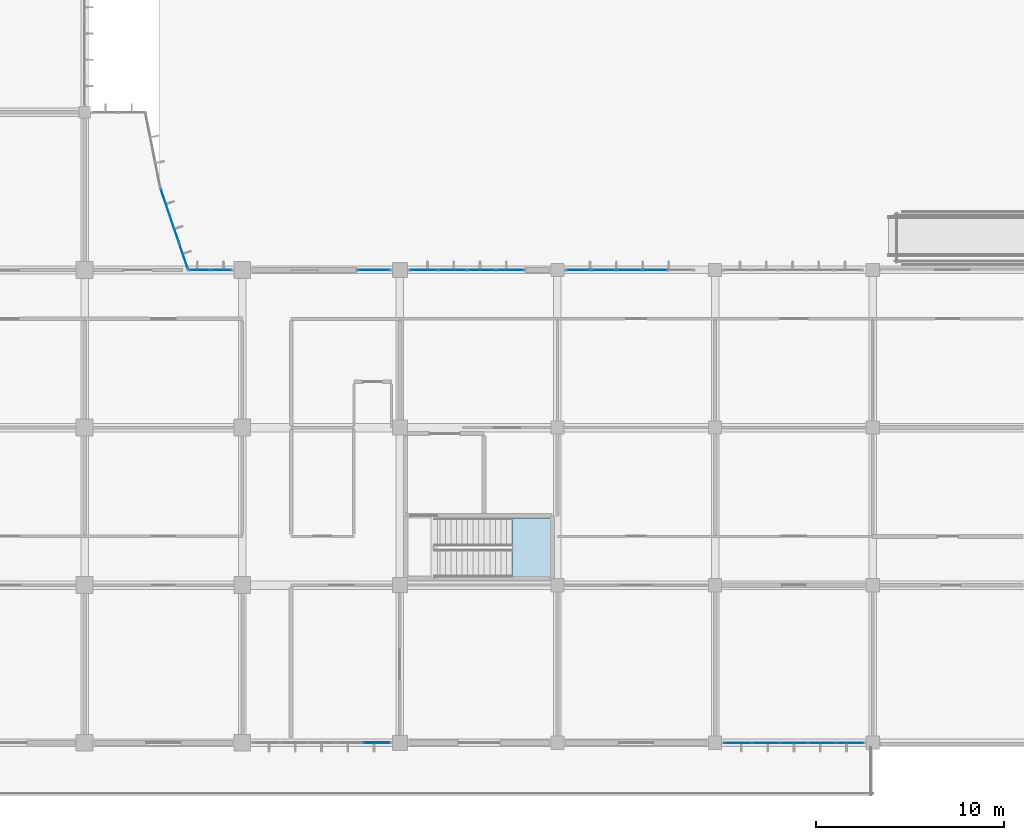
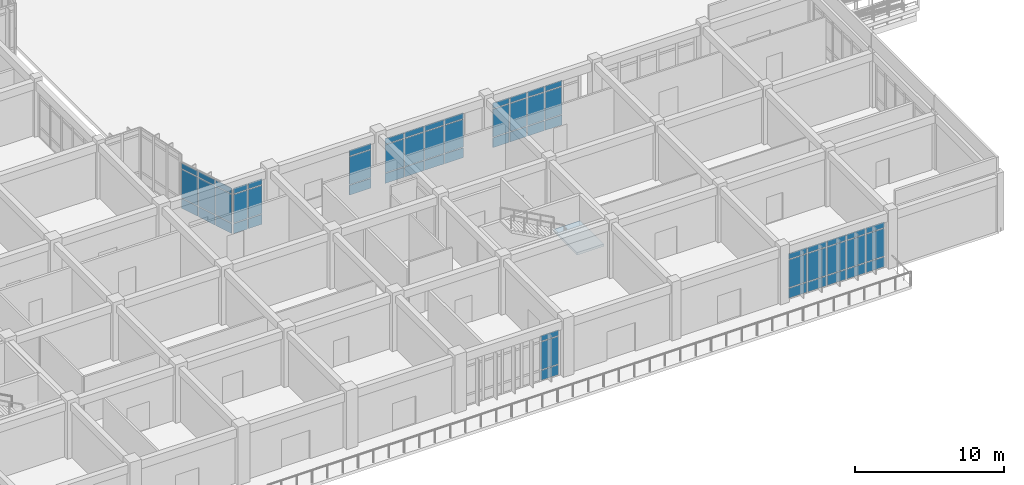
# One storey, part 76 of 138: 60 plates, 1 slab, 8 elements without a shape of their own.
"""IFC4 building model written with IfcOpenShell, lengths in metres."""

from ifc_helpers import new_model, si_unit, direction, frame, origin, origin_2d, place, context, subcontext, project, spatial, polyline, rectangle, outline, extrude, material, layer, layer_set, type_object, element, aggregate, save


model = new_model("IFC4")

# Units and contexts
model_context = context("Model", 3, precision=1e-05, world=origin(), true_north=direction((0.0, 1.0)))
body_context = subcontext(model_context, "Body", "Model", "MODEL_VIEW")
ifc_project = project(units=[si_unit("LENGTHUNIT", "METRE"), si_unit("AREAUNIT", "SQUARE_METRE"), si_unit("VOLUMEUNIT", "CUBIC_METRE"), si_unit("PLANEANGLEUNIT", "RADIAN"), si_unit("MASSUNIT", "GRAM", prefix="KILO")], contexts=[model_context])

# Site, building, storey
site_placement = place(None, origin())
site = spatial("IfcSite", under=ifc_project, at=site_placement, CompositionType="ELEMENT")
building_placement = place(site_placement, origin())
building = spatial("IfcBuilding", under=site, at=building_placement, Name="Bramfleet General Hospital", CompositionType="ELEMENT")
storey_placement = place(building_placement, origin())
storey = spatial("IfcBuildingStorey", under=building, at=storey_placement, Name="L00", CompositionType="ELEMENT", Elevation=0.0)

# Curtain wall, plates
ifc_material_1 = material(Name="Anodised aluminium and low-E triple glazing", Category="aluminium")
ifc_layer_1 = layer(ifc_material_1, 0.179931640625, Name="CWT-CW-07")
ifc_layer_set_1 = layer_set([ifc_layer_1], Name="Anodised aluminium and low-E triple glazing")
curtain_wall_type_1 = type_object("IfcCurtainWallType", Name="CWT-CW-07", PredefinedType="USERDEFINED", material=ifc_layer_set_1)
curtain_wall_1_placement = place(storey_placement, origin())
curtain_wall_1 = element("IfcCurtainWall", 1, at=curtain_wall_1_placement, inside=storey, type_object=curtain_wall_type_1, Name="L00 Curtain Wall 25", ObjectType="Unitised curtain wall", PredefinedType="USERDEFINED")
ifc_material_2 = material(Name="Low-E laminated safety glass", Category="glass")
ifc_layer_2 = layer(ifc_material_2, 0.028076171875, Name="CWP-GLZ-1")
ifc_layer_set_2 = layer_set([ifc_layer_2], Name="Low-E laminated safety glass")
plate_type_1 = type_object("IfcPlateType", Name="CWP-GLZ-1", PredefinedType="CURTAIN_PANEL", material=ifc_layer_set_2)
plate_1_placement = place(storey_placement, frame((130.2890625, 28.830810546875, 0.06494140625), z_axis=(0.0, 0.0, 1.0), x_axis=(0.321285950829, -0.94698222676, 0.0)))
plate_1 = element("IfcPlate", 2, at=plate_1_placement, type_object=plate_type_1, Name="CW-07 panel 1.1", PredefinedType="CURTAIN_PANEL", context=body_context, shape_type="SweptSolid", body=[
    extrude(rectangle(XDim=1.435791015625, YDim=0.028076171875, at=origin_2d()), origin(), (0.0, 0.0, 1.0), 0.802490234375),
])
plate_2_placement = place(storey_placement, frame((130.2890625, 28.830810546875, 0.9326171875), z_axis=(0.0, 0.0, 1.0), x_axis=(0.321285950829, -0.94698222676, 0.0)))
plate_2 = element("IfcPlate", 3, at=plate_2_placement, type_object=plate_type_1, Name="CW-07 panel 1.2", PredefinedType="CURTAIN_PANEL", context=body_context, shape_type="SweptSolid", body=[
    extrude(rectangle(XDim=1.435791015625, YDim=0.028076171875, at=origin_2d()), origin(), (0.0, 0.0, 1.0), 2.324951171875),
])
plate_3_placement = place(storey_placement, frame((130.2890625, 28.830810546875, 3.32275390625), z_axis=(0.0, 0.0, 1.0), x_axis=(0.321285950829, -0.94698222676, 0.0)))
plate_3 = element("IfcPlate", 4, at=plate_3_placement, type_object=plate_type_1, Name="CW-07 panel 1.3", PredefinedType="CURTAIN_PANEL", context=body_context, shape_type="SweptSolid", body=[
    extrude(rectangle(XDim=1.435791015625, YDim=0.028076171875, at=origin_2d()), origin(), (0.0, 0.0, 1.0), 0.452392578125),
])
plate_4_placement = place(storey_placement, frame((130.778564453125, 27.388427734375, 0.06494140625), z_axis=(0.0, 0.0, 1.0), x_axis=(0.321285950829, -0.94698222676, 0.0)))
plate_4 = element("IfcPlate", 5, at=plate_4_placement, type_object=plate_type_1, Name="CW-07 panel 2.1", PredefinedType="CURTAIN_PANEL", context=body_context, shape_type="SweptSolid", body=[
    extrude(rectangle(XDim=1.470703125, YDim=0.028076171875, at=origin_2d()), origin(), (0.0, 0.0, 1.0), 0.802490234375),
])
plate_5_placement = place(storey_placement, frame((130.778564453125, 27.388427734375, 0.9326171875), z_axis=(0.0, 0.0, 1.0), x_axis=(0.321285950829, -0.94698222676, 0.0)))
plate_5 = element("IfcPlate", 6, at=plate_5_placement, type_object=plate_type_1, Name="CW-07 panel 2.2", PredefinedType="CURTAIN_PANEL", context=body_context, shape_type="SweptSolid", body=[
    extrude(rectangle(XDim=1.470703125, YDim=0.028076171875, at=origin_2d()), origin(), (0.0, 0.0, 1.0), 2.324951171875),
])
plate_6_placement = place(storey_placement, frame((130.778564453125, 27.388427734375, 3.32275390625), z_axis=(0.0, 0.0, 1.0), x_axis=(0.321285950829, -0.94698222676, 0.0)))
plate_6 = element("IfcPlate", 7, at=plate_6_placement, type_object=plate_type_1, Name="CW-07 panel 2.3", PredefinedType="CURTAIN_PANEL", context=body_context, shape_type="SweptSolid", body=[
    extrude(rectangle(XDim=1.470703125, YDim=0.028076171875, at=origin_2d()), origin(), (0.0, 0.0, 1.0), 0.452392578125),
])
plate_7_placement = place(storey_placement, frame((131.267822265625, 25.946044921875, 0.06494140625), z_axis=(0.0, 0.0, 1.0), x_axis=(0.321285950829, -0.94698222676, 0.0)))
plate_7 = element("IfcPlate", 8, at=plate_7_placement, type_object=plate_type_1, Name="CW-07 panel 3.1", PredefinedType="CURTAIN_PANEL", context=body_context, shape_type="SweptSolid", body=[
    extrude(rectangle(XDim=1.435791015625, YDim=0.028076171875, at=origin_2d()), origin(), (0.0, 0.0, 1.0), 0.802490234375),
])
plate_8_placement = place(storey_placement, frame((131.267822265625, 25.946044921875, 0.9326171875), z_axis=(0.0, 0.0, 1.0), x_axis=(0.321285950829, -0.94698222676, 0.0)))
plate_8 = element("IfcPlate", 9, at=plate_8_placement, type_object=plate_type_1, Name="CW-07 panel 3.2", PredefinedType="CURTAIN_PANEL", context=body_context, shape_type="SweptSolid", body=[
    extrude(rectangle(XDim=1.435791015625, YDim=0.028076171875, at=origin_2d()), origin(), (0.0, 0.0, 1.0), 2.324951171875),
])
plate_9_placement = place(storey_placement, frame((131.267822265625, 25.946044921875, 3.32275390625), z_axis=(0.0, 0.0, 1.0), x_axis=(0.321285950829, -0.94698222676, 0.0)))
plate_9 = element("IfcPlate", 10, at=plate_9_placement, type_object=plate_type_1, Name="CW-07 panel 3.3", PredefinedType="CURTAIN_PANEL", context=body_context, shape_type="SweptSolid", body=[
    extrude(rectangle(XDim=1.435791015625, YDim=0.028076171875, at=origin_2d()), origin(), (0.0, 0.0, 1.0), 0.452392578125),
])
aggregate(curtain_wall_1, [plate_1, plate_2, plate_3, plate_4, plate_5, plate_6, plate_7, plate_8, plate_9])

ifc_layer_3 = layer(ifc_material_1, 0.179931640625, Name="CWT-CW-11")
ifc_layer_set_3 = layer_set([ifc_layer_3], Name="Anodised aluminium and low-E triple glazing")
curtain_wall_type_2 = type_object("IfcCurtainWallType", Name="CWT-CW-11", PredefinedType="USERDEFINED", material=ifc_layer_set_3)
curtain_wall_2_placement = place(storey_placement, origin())
curtain_wall_2 = element("IfcCurtainWall", 11, at=curtain_wall_2_placement, inside=storey, type_object=curtain_wall_type_2, Name="L00 Curtain Wall 29", ObjectType="Stick curtain wall", PredefinedType="USERDEFINED")
plate_10_placement = place(storey_placement, frame((152.32470703125, 25.199951171875, 0.06494140625), z_axis=(0.0, 0.0, 1.0), x_axis=(1.0, 0.0, 0.0)))
plate_10 = element("IfcPlate", 12, at=plate_10_placement, type_object=plate_type_1, Name="CW-11 panel 1.1", PredefinedType="CURTAIN_PANEL", context=body_context, shape_type="SweptSolid", body=[
    extrude(rectangle(XDim=1.259521484375, YDim=0.028076171875, at=origin_2d()), origin(), (0.0, 0.0, 1.0), 0.802490234375),
])
plate_11_placement = place(storey_placement, frame((152.32470703125, 25.199951171875, 0.9326171875), z_axis=(0.0, 0.0, 1.0), x_axis=(1.0, 0.0, 0.0)))
plate_11 = element("IfcPlate", 13, at=plate_11_placement, type_object=plate_type_1, Name="CW-11 panel 1.2", PredefinedType="CURTAIN_PANEL", context=body_context, shape_type="SweptSolid", body=[
    extrude(rectangle(XDim=1.259521484375, YDim=0.028076171875, at=origin_2d()), origin(), (0.0, 0.0, 1.0), 2.27490234375),
])
plate_12_placement = place(storey_placement, frame((152.32470703125, 25.199951171875, 3.2724609375), z_axis=(0.0, 0.0, 1.0), x_axis=(1.0, 0.0, 0.0)))
plate_12 = element("IfcPlate", 14, at=plate_12_placement, type_object=plate_type_1, Name="CW-11 panel 1.3", PredefinedType="CURTAIN_PANEL", context=body_context, shape_type="SweptSolid", body=[
    extrude(rectangle(XDim=1.259521484375, YDim=0.028076171875, at=origin_2d()), origin(), (0.0, 0.0, 1.0), 0.452392578125),
])
plate_13_placement = place(storey_placement, frame((153.671875, 25.199951171875, 0.06494140625), z_axis=(0.0, 0.0, 1.0), x_axis=(1.0, 0.0, 0.0)))
plate_13 = element("IfcPlate", 15, at=plate_13_placement, type_object=plate_type_1, Name="CW-11 panel 2.1", PredefinedType="CURTAIN_PANEL", context=body_context, shape_type="SweptSolid", body=[
    extrude(rectangle(XDim=1.294677734375, YDim=0.028076171875, at=origin_2d()), origin(), (0.0, 0.0, 1.0), 0.802490234375),
])
plate_14_placement = place(storey_placement, frame((153.671875, 25.199951171875, 0.9326171875), z_axis=(0.0, 0.0, 1.0), x_axis=(1.0, 0.0, 0.0)))
plate_14 = element("IfcPlate", 16, at=plate_14_placement, type_object=plate_type_1, Name="CW-11 panel 2.2", PredefinedType="CURTAIN_PANEL", context=body_context, shape_type="SweptSolid", body=[
    extrude(rectangle(XDim=1.294677734375, YDim=0.028076171875, at=origin_2d()), origin(), (0.0, 0.0, 1.0), 2.27490234375),
])
plate_15_placement = place(storey_placement, frame((153.671875, 25.199951171875, 3.2724609375), z_axis=(0.0, 0.0, 1.0), x_axis=(1.0, 0.0, 0.0)))
plate_15 = element("IfcPlate", 17, at=plate_15_placement, type_object=plate_type_1, Name="CW-11 panel 2.3", PredefinedType="CURTAIN_PANEL", context=body_context, shape_type="SweptSolid", body=[
    extrude(rectangle(XDim=1.294677734375, YDim=0.028076171875, at=origin_2d()), origin(), (0.0, 0.0, 1.0), 0.452392578125),
])
plate_16_placement = place(storey_placement, frame((155.03662109375, 25.199951171875, 0.06494140625), z_axis=(0.0, 0.0, 1.0), x_axis=(1.0, 0.0, 0.0)))
plate_16 = element("IfcPlate", 18, at=plate_16_placement, type_object=plate_type_1, Name="CW-11 panel 3.1", PredefinedType="CURTAIN_PANEL", context=body_context, shape_type="SweptSolid", body=[
    extrude(rectangle(XDim=1.294677734375, YDim=0.028076171875, at=origin_2d()), origin(), (0.0, 0.0, 1.0), 0.802490234375),
])
plate_17_placement = place(storey_placement, frame((155.03662109375, 25.199951171875, 0.9326171875), z_axis=(0.0, 0.0, 1.0), x_axis=(1.0, 0.0, 0.0)))
plate_17 = element("IfcPlate", 19, at=plate_17_placement, type_object=plate_type_1, Name="CW-11 panel 3.2", PredefinedType="CURTAIN_PANEL", context=body_context, shape_type="SweptSolid", body=[
    extrude(rectangle(XDim=1.294677734375, YDim=0.028076171875, at=origin_2d()), origin(), (0.0, 0.0, 1.0), 2.27490234375),
])
plate_18_placement = place(storey_placement, frame((155.03662109375, 25.199951171875, 3.2724609375), z_axis=(0.0, 0.0, 1.0), x_axis=(1.0, 0.0, 0.0)))
plate_18 = element("IfcPlate", 20, at=plate_18_placement, type_object=plate_type_1, Name="CW-11 panel 3.3", PredefinedType="CURTAIN_PANEL", context=body_context, shape_type="SweptSolid", body=[
    extrude(rectangle(XDim=1.294677734375, YDim=0.028076171875, at=origin_2d()), origin(), (0.0, 0.0, 1.0), 0.452392578125),
])
plate_19_placement = place(storey_placement, frame((156.401123046875, 25.199951171875, 0.06494140625), z_axis=(0.0, 0.0, 1.0), x_axis=(1.0, 0.0, 0.0)))
plate_19 = element("IfcPlate", 21, at=plate_19_placement, type_object=plate_type_1, Name="CW-11 panel 4.1", PredefinedType="CURTAIN_PANEL", context=body_context, shape_type="SweptSolid", body=[
    extrude(rectangle(XDim=1.294677734375, YDim=0.028076171875, at=origin_2d()), origin(), (0.0, 0.0, 1.0), 0.802490234375),
])
plate_20_placement = place(storey_placement, frame((156.401123046875, 25.199951171875, 0.9326171875), z_axis=(0.0, 0.0, 1.0), x_axis=(1.0, 0.0, 0.0)))
plate_20 = element("IfcPlate", 22, at=plate_20_placement, type_object=plate_type_1, Name="CW-11 panel 4.2", PredefinedType="CURTAIN_PANEL", context=body_context, shape_type="SweptSolid", body=[
    extrude(rectangle(XDim=1.294677734375, YDim=0.028076171875, at=origin_2d()), origin(), (0.0, 0.0, 1.0), 2.27490234375),
])
plate_21_placement = place(storey_placement, frame((156.401123046875, 25.199951171875, 3.2724609375), z_axis=(0.0, 0.0, 1.0), x_axis=(1.0, 0.0, 0.0)))
plate_21 = element("IfcPlate", 23, at=plate_21_placement, type_object=plate_type_1, Name="CW-11 panel 4.3", PredefinedType="CURTAIN_PANEL", context=body_context, shape_type="SweptSolid", body=[
    extrude(rectangle(XDim=1.294677734375, YDim=0.028076171875, at=origin_2d()), origin(), (0.0, 0.0, 1.0), 0.452392578125),
])
aggregate(curtain_wall_2, [plate_10, plate_11, plate_12, plate_13, plate_14, plate_15, plate_16, plate_17, plate_18, plate_19, plate_20, plate_21])

ifc_layer_4 = layer(ifc_material_1, 0.179931640625, Name="CWT-CW-15")
ifc_layer_set_4 = layer_set([ifc_layer_4], Name="Anodised aluminium and low-E triple glazing")
curtain_wall_type_3 = type_object("IfcCurtainWallType", Name="CWT-CW-15", PredefinedType="USERDEFINED", material=ifc_layer_set_4)
curtain_wall_3_placement = place(storey_placement, origin())
curtain_wall_3 = element("IfcCurtainWall", 24, at=curtain_wall_3_placement, inside=storey, type_object=curtain_wall_type_3, Name="L00 Curtain Wall 33", ObjectType="Stick curtain wall", PredefinedType="USERDEFINED")
plate_22_placement = place(storey_placement, frame((166.802490234375, 0.0, 0.06494140625), z_axis=(0.0, 0.0, 1.0), x_axis=(-1.0, 0.0, 0.0)))
plate_22 = element("IfcPlate", 25, at=plate_22_placement, type_object=plate_type_1, Name="CW-15 panel 1.1", PredefinedType="CURTAIN_PANEL", context=body_context, shape_type="SweptSolid", body=[
    extrude(rectangle(XDim=1.405029296875, YDim=0.028076171875, at=origin_2d()), origin(), (0.0, 0.0, 1.0), 0.802490234375),
])
plate_23_placement = place(storey_placement, frame((166.802490234375, 0.0, 0.9326171875), z_axis=(0.0, 0.0, 1.0), x_axis=(-1.0, 0.0, 0.0)))
plate_23 = element("IfcPlate", 26, at=plate_23_placement, type_object=plate_type_1, Name="CW-15 panel 1.2", PredefinedType="CURTAIN_PANEL", context=body_context, shape_type="SweptSolid", body=[
    extrude(rectangle(XDim=1.405029296875, YDim=0.028076171875, at=origin_2d()), origin(), (0.0, 0.0, 1.0), 2.27490234375),
])
plate_24_placement = place(storey_placement, frame((166.802490234375, 0.0, 3.2724609375), z_axis=(0.0, 0.0, 1.0), x_axis=(-1.0, 0.0, 0.0)))
plate_24 = element("IfcPlate", 27, at=plate_24_placement, type_object=plate_type_1, Name="CW-15 panel 1.3", PredefinedType="CURTAIN_PANEL", context=body_context, shape_type="SweptSolid", body=[
    extrude(rectangle(XDim=1.405029296875, YDim=0.028076171875, at=origin_2d()), origin(), (0.0, 0.0, 1.0), 0.452392578125),
])
plate_25_placement = place(storey_placement, frame((165.31005859375, 0.0, 0.06494140625), z_axis=(0.0, 0.0, 1.0), x_axis=(-1.0, 0.0, 0.0)))
plate_25 = element("IfcPlate", 28, at=plate_25_placement, type_object=plate_type_1, Name="CW-15 panel 2.1", PredefinedType="CURTAIN_PANEL", context=body_context, shape_type="SweptSolid", body=[
    extrude(rectangle(XDim=1.43994140625, YDim=0.028076171875, at=origin_2d()), origin(), (0.0, 0.0, 1.0), 0.802490234375),
])
plate_26_placement = place(storey_placement, frame((165.31005859375, 0.0, 0.9326171875), z_axis=(0.0, 0.0, 1.0), x_axis=(-1.0, 0.0, 0.0)))
plate_26 = element("IfcPlate", 29, at=plate_26_placement, type_object=plate_type_1, Name="CW-15 panel 2.2", PredefinedType="CURTAIN_PANEL", context=body_context, shape_type="SweptSolid", body=[
    extrude(rectangle(XDim=1.43994140625, YDim=0.028076171875, at=origin_2d()), origin(), (0.0, 0.0, 1.0), 2.27490234375),
])
plate_27_placement = place(storey_placement, frame((165.31005859375, 0.0, 3.2724609375), z_axis=(0.0, 0.0, 1.0), x_axis=(-1.0, 0.0, 0.0)))
plate_27 = element("IfcPlate", 30, at=plate_27_placement, type_object=plate_type_1, Name="CW-15 panel 2.3", PredefinedType="CURTAIN_PANEL", context=body_context, shape_type="SweptSolid", body=[
    extrude(rectangle(XDim=1.43994140625, YDim=0.028076171875, at=origin_2d()), origin(), (0.0, 0.0, 1.0), 0.452392578125),
])
plate_28_placement = place(storey_placement, frame((163.800048828125, 0.0, 0.06494140625), z_axis=(0.0, 0.0, 1.0), x_axis=(-1.0, 0.0, 0.0)))
plate_28 = element("IfcPlate", 31, at=plate_28_placement, type_object=plate_type_1, Name="CW-15 panel 3.1", PredefinedType="CURTAIN_PANEL", context=body_context, shape_type="SweptSolid", body=[
    extrude(rectangle(XDim=1.43994140625, YDim=0.028076171875, at=origin_2d()), origin(), (0.0, 0.0, 1.0), 0.802490234375),
])
plate_29_placement = place(storey_placement, frame((163.800048828125, 0.0, 0.9326171875), z_axis=(0.0, 0.0, 1.0), x_axis=(-1.0, 0.0, 0.0)))
plate_29 = element("IfcPlate", 32, at=plate_29_placement, type_object=plate_type_1, Name="CW-15 panel 3.2", PredefinedType="CURTAIN_PANEL", context=body_context, shape_type="SweptSolid", body=[
    extrude(rectangle(XDim=1.43994140625, YDim=0.028076171875, at=origin_2d()), origin(), (0.0, 0.0, 1.0), 2.27490234375),
])
plate_30_placement = place(storey_placement, frame((163.800048828125, 0.0, 3.2724609375), z_axis=(0.0, 0.0, 1.0), x_axis=(-1.0, 0.0, 0.0)))
plate_30 = element("IfcPlate", 33, at=plate_30_placement, type_object=plate_type_1, Name="CW-15 panel 3.3", PredefinedType="CURTAIN_PANEL", context=body_context, shape_type="SweptSolid", body=[
    extrude(rectangle(XDim=1.43994140625, YDim=0.028076171875, at=origin_2d()), origin(), (0.0, 0.0, 1.0), 0.452392578125),
])
plate_31_placement = place(storey_placement, frame((162.2900390625, 0.0, 0.06494140625), z_axis=(0.0, 0.0, 1.0), x_axis=(-1.0, 0.0, 0.0)))
plate_31 = element("IfcPlate", 34, at=plate_31_placement, type_object=plate_type_1, Name="CW-15 panel 4.1", PredefinedType="CURTAIN_PANEL", context=body_context, shape_type="SweptSolid", body=[
    extrude(rectangle(XDim=1.43994140625, YDim=0.028076171875, at=origin_2d()), origin(), (0.0, 0.0, 1.0), 0.802490234375),
])
plate_32_placement = place(storey_placement, frame((162.2900390625, 0.0, 0.9326171875), z_axis=(0.0, 0.0, 1.0), x_axis=(-1.0, 0.0, 0.0)))
plate_32 = element("IfcPlate", 35, at=plate_32_placement, type_object=plate_type_1, Name="CW-15 panel 4.2", PredefinedType="CURTAIN_PANEL", context=body_context, shape_type="SweptSolid", body=[
    extrude(rectangle(XDim=1.43994140625, YDim=0.028076171875, at=origin_2d()), origin(), (0.0, 0.0, 1.0), 2.27490234375),
])
plate_33_placement = place(storey_placement, frame((162.2900390625, 0.0, 3.2724609375), z_axis=(0.0, 0.0, 1.0), x_axis=(-1.0, 0.0, 0.0)))
plate_33 = element("IfcPlate", 36, at=plate_33_placement, type_object=plate_type_1, Name="CW-15 panel 4.3", PredefinedType="CURTAIN_PANEL", context=body_context, shape_type="SweptSolid", body=[
    extrude(rectangle(XDim=1.43994140625, YDim=0.028076171875, at=origin_2d()), origin(), (0.0, 0.0, 1.0), 0.452392578125),
])
plate_34_placement = place(storey_placement, frame((160.797607421875, 0.0, 0.06494140625), z_axis=(0.0, 0.0, 1.0), x_axis=(-1.0, 0.0, 0.0)))
plate_34 = element("IfcPlate", 37, at=plate_34_placement, type_object=plate_type_1, Name="CW-15 panel 5.1", PredefinedType="CURTAIN_PANEL", context=body_context, shape_type="SweptSolid", body=[
    extrude(rectangle(XDim=1.405029296875, YDim=0.028076171875, at=origin_2d()), origin(), (0.0, 0.0, 1.0), 0.802490234375),
])
plate_35_placement = place(storey_placement, frame((160.797607421875, 0.0, 0.9326171875), z_axis=(0.0, 0.0, 1.0), x_axis=(-1.0, 0.0, 0.0)))
plate_35 = element("IfcPlate", 38, at=plate_35_placement, type_object=plate_type_1, Name="CW-15 panel 5.2", PredefinedType="CURTAIN_PANEL", context=body_context, shape_type="SweptSolid", body=[
    extrude(rectangle(XDim=1.405029296875, YDim=0.028076171875, at=origin_2d()), origin(), (0.0, 0.0, 1.0), 2.27490234375),
])
plate_36_placement = place(storey_placement, frame((160.797607421875, 0.0, 3.2724609375), z_axis=(0.0, 0.0, 1.0), x_axis=(-1.0, 0.0, 0.0)))
plate_36 = element("IfcPlate", 39, at=plate_36_placement, type_object=plate_type_1, Name="CW-15 panel 5.3", PredefinedType="CURTAIN_PANEL", context=body_context, shape_type="SweptSolid", body=[
    extrude(rectangle(XDim=1.405029296875, YDim=0.028076171875, at=origin_2d()), origin(), (0.0, 0.0, 1.0), 0.452392578125),
])
aggregate(curtain_wall_3, [plate_22, plate_23, plate_24, plate_25, plate_26, plate_27, plate_28, plate_29, plate_30, plate_31, plate_32, plate_33, plate_34, plate_35, plate_36])

ifc_layer_5 = layer(ifc_material_1, 0.179931640625, Name="CWT-CW-08")
ifc_layer_set_5 = layer_set([ifc_layer_5], Name="Anodised aluminium and low-E triple glazing")
curtain_wall_type_4 = type_object("IfcCurtainWallType", Name="CWT-CW-08", PredefinedType="USERDEFINED", material=ifc_layer_set_5)
curtain_wall_4_placement = place(storey_placement, origin())
curtain_wall_4 = element("IfcCurtainWall", 40, at=curtain_wall_4_placement, inside=storey, type_object=curtain_wall_type_4, Name="L00 Curtain Wall 26", ObjectType="Unitised curtain wall", PredefinedType="USERDEFINED")
ifc_layer_6 = layer(ifc_material_2, 0.031982421875, Name="CWP-GLZ-2")
ifc_layer_set_6 = layer_set([ifc_layer_6], Name="Low-E laminated safety glass")
plate_type_2 = type_object("IfcPlateType", Name="CWP-GLZ-2", PredefinedType="CURTAIN_PANEL", material=ifc_layer_set_6)
plate_37_placement = place(storey_placement, frame((132.126953125, 25.199951171875, 0.06494140625), z_axis=(0.0, 0.0, 1.0), x_axis=(1.0, 0.0, 0.0)))
plate_37 = element("IfcPlate", 41, at=plate_37_placement, type_object=plate_type_2, Name="CW-08 panel 1.1", PredefinedType="CURTAIN_PANEL", context=body_context, shape_type="SweptSolid", body=[
    extrude(rectangle(XDim=1.072021484375, YDim=0.031982421875, at=origin_2d()), origin(), (0.0, 0.0, 1.0), 0.802490234375),
])
plate_38_placement = place(storey_placement, frame((132.126953125, 25.199951171875, 0.9326171875), z_axis=(0.0, 0.0, 1.0), x_axis=(1.0, 0.0, 0.0)))
plate_38 = element("IfcPlate", 42, at=plate_38_placement, type_object=plate_type_2, Name="CW-08 panel 1.2", PredefinedType="CURTAIN_PANEL", context=body_context, shape_type="SweptSolid", body=[
    extrude(rectangle(XDim=1.072021484375, YDim=0.031982421875, at=origin_2d()), origin(), (0.0, 0.0, 1.0), 2.324951171875),
])
plate_39_placement = place(storey_placement, frame((132.126953125, 25.199951171875, 3.32275390625), z_axis=(0.0, 0.0, 1.0), x_axis=(1.0, 0.0, 0.0)))
plate_39 = element("IfcPlate", 43, at=plate_39_placement, type_object=plate_type_2, Name="CW-08 panel 1.3", PredefinedType="CURTAIN_PANEL", context=body_context, shape_type="SweptSolid", body=[
    extrude(rectangle(XDim=1.072021484375, YDim=0.031982421875, at=origin_2d()), origin(), (0.0, 0.0, 1.0), 0.452392578125),
])
plate_40_placement = place(storey_placement, frame((133.26904296875, 25.199951171875, 0.06494140625), z_axis=(0.0, 0.0, 1.0), x_axis=(1.0, 0.0, 0.0)))
plate_40 = element("IfcPlate", 44, at=plate_40_placement, type_object=plate_type_2, Name="CW-08 panel 2.1", PredefinedType="CURTAIN_PANEL", context=body_context, shape_type="SweptSolid", body=[
    extrude(rectangle(XDim=1.072021484375, YDim=0.031982421875, at=origin_2d()), origin(), (0.0, 0.0, 1.0), 0.802490234375),
])
plate_41_placement = place(storey_placement, frame((133.26904296875, 25.199951171875, 0.9326171875), z_axis=(0.0, 0.0, 1.0), x_axis=(1.0, 0.0, 0.0)))
plate_41 = element("IfcPlate", 45, at=plate_41_placement, type_object=plate_type_2, Name="CW-08 panel 2.2", PredefinedType="CURTAIN_PANEL", context=body_context, shape_type="SweptSolid", body=[
    extrude(rectangle(XDim=1.072021484375, YDim=0.031982421875, at=origin_2d()), origin(), (0.0, 0.0, 1.0), 2.324951171875),
])
plate_42_placement = place(storey_placement, frame((133.26904296875, 25.199951171875, 3.32275390625), z_axis=(0.0, 0.0, 1.0), x_axis=(1.0, 0.0, 0.0)))
plate_42 = element("IfcPlate", 46, at=plate_42_placement, type_object=plate_type_2, Name="CW-08 panel 2.3", PredefinedType="CURTAIN_PANEL", context=body_context, shape_type="SweptSolid", body=[
    extrude(rectangle(XDim=1.072021484375, YDim=0.031982421875, at=origin_2d()), origin(), (0.0, 0.0, 1.0), 0.452392578125),
])
aggregate(curtain_wall_4, [plate_37, plate_38, plate_39, plate_40, plate_41, plate_42])

ifc_layer_7 = layer(ifc_material_1, 0.179931640625, Name="CWT-CW-16")
ifc_layer_set_7 = layer_set([ifc_layer_7], Name="Anodised aluminium and low-E triple glazing")
curtain_wall_type_5 = type_object("IfcCurtainWallType", Name="CWT-CW-16", PredefinedType="USERDEFINED", material=ifc_layer_set_7)
curtain_wall_5_placement = place(storey_placement, origin())
curtain_wall_5 = element("IfcCurtainWall", 47, at=curtain_wall_5_placement, inside=storey, type_object=curtain_wall_type_5, Name="L00 Curtain Wall 34", ObjectType="Stick curtain wall", PredefinedType="USERDEFINED")
plate_43_placement = place(storey_placement, frame((141.5673828125, 0.0, 0.06494140625), z_axis=(0.0, 0.0, 1.0), x_axis=(-1.0, 0.0, 0.0)))
plate_43 = element("IfcPlate", 48, at=plate_43_placement, type_object=plate_type_2, Name="CW-16 panel 1.1", PredefinedType="CURTAIN_PANEL", context=body_context, shape_type="SweptSolid", body=[
    extrude(rectangle(XDim=1.375, YDim=0.031982421875, at=origin_2d()), origin(), (0.0, 0.0, 1.0), 0.802490234375),
])
plate_44_placement = place(storey_placement, frame((141.5673828125, 0.0, 0.9326171875), z_axis=(0.0, 0.0, 1.0), x_axis=(-1.0, 0.0, 0.0)))
plate_44 = element("IfcPlate", 49, at=plate_44_placement, type_object=plate_type_2, Name="CW-16 panel 1.2", PredefinedType="CURTAIN_PANEL", context=body_context, shape_type="SweptSolid", body=[
    extrude(rectangle(XDim=1.375, YDim=0.031982421875, at=origin_2d()), origin(), (0.0, 0.0, 1.0), 2.27490234375),
])
plate_45_placement = place(storey_placement, frame((141.5673828125, 0.0, 3.2724609375), z_axis=(0.0, 0.0, 1.0), x_axis=(-1.0, 0.0, 0.0)))
plate_45 = element("IfcPlate", 50, at=plate_45_placement, type_object=plate_type_2, Name="CW-16 panel 1.3", PredefinedType="CURTAIN_PANEL", context=body_context, shape_type="SweptSolid", body=[
    extrude(rectangle(XDim=1.375, YDim=0.031982421875, at=origin_2d()), origin(), (0.0, 0.0, 1.0), 0.452392578125),
])
aggregate(curtain_wall_5, [plate_43, plate_44, plate_45])

ifc_layer_8 = layer(ifc_material_1, 0.179931640625, Name="CWT-CW-09")
ifc_layer_set_8 = layer_set([ifc_layer_8], Name="Anodised aluminium and low-E triple glazing")
curtain_wall_type_6 = type_object("IfcCurtainWallType", Name="CWT-CW-09", PredefinedType="USERDEFINED", material=ifc_layer_set_8)
curtain_wall_6_placement = place(storey_placement, origin())
curtain_wall_6 = element("IfcCurtainWall", 51, at=curtain_wall_6_placement, inside=storey, type_object=curtain_wall_type_6, Name="L00 Curtain Wall 27", ObjectType="Unitised curtain wall", PredefinedType="USERDEFINED")
ifc_layer_9 = layer(ifc_material_2, 0.035888671875, Name="CWP-GLZ-3")
ifc_layer_set_9 = layer_set([ifc_layer_9], Name="Low-E laminated safety glass")
plate_type_3 = type_object("IfcPlateType", Name="CWP-GLZ-3", PredefinedType="CURTAIN_PANEL", material=ifc_layer_set_9)
plate_46_placement = place(storey_placement, frame((141.410888671875, 25.199951171875, 0.06494140625), z_axis=(0.0, 0.0, 1.0), x_axis=(1.0, 0.0, 0.0)))
plate_46 = element("IfcPlate", 52, at=plate_46_placement, type_object=plate_type_3, Name="CW-09 panel 1.1", PredefinedType="CURTAIN_PANEL", context=body_context, shape_type="SweptSolid", body=[
    extrude(rectangle(XDim=1.68798828125, YDim=0.035888671875, at=origin_2d()), origin(), (0.0, 0.0, 1.0), 0.802490234375),
])
plate_47_placement = place(storey_placement, frame((141.410888671875, 25.199951171875, 0.9326171875), z_axis=(0.0, 0.0, 1.0), x_axis=(1.0, 0.0, 0.0)))
plate_47 = element("IfcPlate", 53, at=plate_47_placement, type_object=plate_type_3, Name="CW-09 panel 1.2", PredefinedType="CURTAIN_PANEL", context=body_context, shape_type="SweptSolid", body=[
    extrude(rectangle(XDim=1.68798828125, YDim=0.035888671875, at=origin_2d()), origin(), (0.0, 0.0, 1.0), 2.27490234375),
])
plate_48_placement = place(storey_placement, frame((141.410888671875, 25.199951171875, 3.2724609375), z_axis=(0.0, 0.0, 1.0), x_axis=(1.0, 0.0, 0.0)))
plate_48 = element("IfcPlate", 54, at=plate_48_placement, type_object=plate_type_3, Name="CW-09 panel 1.3", PredefinedType="CURTAIN_PANEL", context=body_context, shape_type="SweptSolid", body=[
    extrude(rectangle(XDim=1.68798828125, YDim=0.035888671875, at=origin_2d()), origin(), (0.0, 0.0, 1.0), 0.452392578125),
])
aggregate(curtain_wall_6, [plate_46, plate_47, plate_48])

ifc_layer_10 = layer(ifc_material_1, 0.179931640625, Name="CWT-CW-10")
ifc_layer_set_10 = layer_set([ifc_layer_10], Name="Anodised aluminium and low-E triple glazing")
curtain_wall_type_7 = type_object("IfcCurtainWallType", Name="CWT-CW-10", PredefinedType="USERDEFINED", material=ifc_layer_set_10)
curtain_wall_7_placement = place(storey_placement, origin())
curtain_wall_7 = element("IfcCurtainWall", 55, at=curtain_wall_7_placement, inside=storey, type_object=curtain_wall_type_7, Name="L00 Curtain Wall 28", ObjectType="Stick curtain wall", PredefinedType="USERDEFINED")
ifc_layer_11 = layer(ifc_material_2, 0.0419921875, Name="CWP-GLZ-4")
ifc_layer_set_11 = layer_set([ifc_layer_11], Name="Low-E laminated safety glass")
plate_type_4 = type_object("IfcPlateType", Name="CWP-GLZ-4", PredefinedType="CURTAIN_PANEL", material=ifc_layer_set_11)
plate_49_placement = place(storey_placement, frame((144.067138671875, 25.199951171875, 0.06494140625), z_axis=(0.0, 0.0, 1.0), x_axis=(1.0, 0.0, 0.0)))
plate_49 = element("IfcPlate", 56, at=plate_49_placement, type_object=plate_type_4, Name="CW-10 panel 1.1", PredefinedType="CURTAIN_PANEL", context=body_context, shape_type="SweptSolid", body=[
    extrude(rectangle(XDim=1.444580078125, YDim=0.0419921875, at=origin_2d()), origin(), (0.0, 0.0, 1.0), 0.802490234375),
])
plate_50_placement = place(storey_placement, frame((144.067138671875, 25.199951171875, 0.9326171875), z_axis=(0.0, 0.0, 1.0), x_axis=(1.0, 0.0, 0.0)))
plate_50 = element("IfcPlate", 57, at=plate_50_placement, type_object=plate_type_4, Name="CW-10 panel 1.2", PredefinedType="CURTAIN_PANEL", context=body_context, shape_type="SweptSolid", body=[
    extrude(rectangle(XDim=1.444580078125, YDim=0.0419921875, at=origin_2d()), origin(), (0.0, 0.0, 1.0), 2.27490234375),
])
plate_51_placement = place(storey_placement, frame((144.067138671875, 25.199951171875, 3.2724609375), z_axis=(0.0, 0.0, 1.0), x_axis=(1.0, 0.0, 0.0)))
plate_51 = element("IfcPlate", 58, at=plate_51_placement, type_object=plate_type_4, Name="CW-10 panel 1.3", PredefinedType="CURTAIN_PANEL", context=body_context, shape_type="SweptSolid", body=[
    extrude(rectangle(XDim=1.444580078125, YDim=0.0419921875, at=origin_2d()), origin(), (0.0, 0.0, 1.0), 0.452392578125),
])
plate_52_placement = place(storey_placement, frame((145.599365234375, 25.199951171875, 0.06494140625), z_axis=(0.0, 0.0, 1.0), x_axis=(1.0, 0.0, 0.0)))
plate_52 = element("IfcPlate", 59, at=plate_52_placement, type_object=plate_type_4, Name="CW-10 panel 2.1", PredefinedType="CURTAIN_PANEL", context=body_context, shape_type="SweptSolid", body=[
    extrude(rectangle(XDim=1.4794921875, YDim=0.0419921875, at=origin_2d()), origin(), (0.0, 0.0, 1.0), 0.802490234375),
])
plate_53_placement = place(storey_placement, frame((145.599365234375, 25.199951171875, 0.9326171875), z_axis=(0.0, 0.0, 1.0), x_axis=(1.0, 0.0, 0.0)))
plate_53 = element("IfcPlate", 60, at=plate_53_placement, type_object=plate_type_4, Name="CW-10 panel 2.2", PredefinedType="CURTAIN_PANEL", context=body_context, shape_type="SweptSolid", body=[
    extrude(rectangle(XDim=1.4794921875, YDim=0.0419921875, at=origin_2d()), origin(), (0.0, 0.0, 1.0), 2.27490234375),
])
plate_54_placement = place(storey_placement, frame((145.599365234375, 25.199951171875, 3.2724609375), z_axis=(0.0, 0.0, 1.0), x_axis=(1.0, 0.0, 0.0)))
plate_54 = element("IfcPlate", 61, at=plate_54_placement, type_object=plate_type_4, Name="CW-10 panel 2.3", PredefinedType="CURTAIN_PANEL", context=body_context, shape_type="SweptSolid", body=[
    extrude(rectangle(XDim=1.4794921875, YDim=0.0419921875, at=origin_2d()), origin(), (0.0, 0.0, 1.0), 0.452392578125),
])
plate_55_placement = place(storey_placement, frame((147.148681640625, 25.199951171875, 0.06494140625), z_axis=(0.0, 0.0, 1.0), x_axis=(1.0, 0.0, 0.0)))
plate_55 = element("IfcPlate", 62, at=plate_55_placement, type_object=plate_type_4, Name="CW-10 panel 3.1", PredefinedType="CURTAIN_PANEL", context=body_context, shape_type="SweptSolid", body=[
    extrude(rectangle(XDim=1.4794921875, YDim=0.0419921875, at=origin_2d()), origin(), (0.0, 0.0, 1.0), 0.802490234375),
])
plate_56_placement = place(storey_placement, frame((147.148681640625, 25.199951171875, 0.9326171875), z_axis=(0.0, 0.0, 1.0), x_axis=(1.0, 0.0, 0.0)))
plate_56 = element("IfcPlate", 63, at=plate_56_placement, type_object=plate_type_4, Name="CW-10 panel 3.2", PredefinedType="CURTAIN_PANEL", context=body_context, shape_type="SweptSolid", body=[
    extrude(rectangle(XDim=1.4794921875, YDim=0.0419921875, at=origin_2d()), origin(), (0.0, 0.0, 1.0), 2.27490234375),
])
plate_57_placement = place(storey_placement, frame((147.148681640625, 25.199951171875, 3.2724609375), z_axis=(0.0, 0.0, 1.0), x_axis=(1.0, 0.0, 0.0)))
plate_57 = element("IfcPlate", 64, at=plate_57_placement, type_object=plate_type_4, Name="CW-10 panel 3.3", PredefinedType="CURTAIN_PANEL", context=body_context, shape_type="SweptSolid", body=[
    extrude(rectangle(XDim=1.4794921875, YDim=0.0419921875, at=origin_2d()), origin(), (0.0, 0.0, 1.0), 0.452392578125),
])
plate_58_placement = place(storey_placement, frame((148.6806640625, 25.199951171875, 0.06494140625), z_axis=(0.0, 0.0, 1.0), x_axis=(1.0, 0.0, 0.0)))
plate_58 = element("IfcPlate", 65, at=plate_58_placement, type_object=plate_type_4, Name="CW-10 panel 4.1", PredefinedType="CURTAIN_PANEL", context=body_context, shape_type="SweptSolid", body=[
    extrude(rectangle(XDim=1.444580078125, YDim=0.0419921875, at=origin_2d()), origin(), (0.0, 0.0, 1.0), 0.802490234375),
])
plate_59_placement = place(storey_placement, frame((148.6806640625, 25.199951171875, 0.9326171875), z_axis=(0.0, 0.0, 1.0), x_axis=(1.0, 0.0, 0.0)))
plate_59 = element("IfcPlate", 66, at=plate_59_placement, type_object=plate_type_4, Name="CW-10 panel 4.2", PredefinedType="CURTAIN_PANEL", context=body_context, shape_type="SweptSolid", body=[
    extrude(rectangle(XDim=1.444580078125, YDim=0.0419921875, at=origin_2d()), origin(), (0.0, 0.0, 1.0), 2.27490234375),
])
plate_60_placement = place(storey_placement, frame((148.6806640625, 25.199951171875, 3.2724609375), z_axis=(0.0, 0.0, 1.0), x_axis=(1.0, 0.0, 0.0)))
plate_60 = element("IfcPlate", 67, at=plate_60_placement, type_object=plate_type_4, Name="CW-10 panel 4.3", PredefinedType="CURTAIN_PANEL", context=body_context, shape_type="SweptSolid", body=[
    extrude(rectangle(XDim=1.444580078125, YDim=0.0419921875, at=origin_2d()), origin(), (0.0, 0.0, 1.0), 0.452392578125),
])
aggregate(curtain_wall_7, [plate_49, plate_50, plate_51, plate_52, plate_53, plate_54, plate_55, plate_56, plate_57, plate_58, plate_59, plate_60])

# Stair, slab
ifc_material_3 = material(Name="Concrete C35/45", Category="concrete")
stair_type = type_object("IfcStairType", Name="STR-T2", PredefinedType="HALF_TURN_STAIR", material=ifc_material_3)
stair_placement = place(storey_placement, origin())
stair = element("IfcStair", 68, at=stair_placement, inside=storey, type_object=stair_type, Name="L00 Core C10 (South-East Clinic & Ward Escape) Protected Escape Stair", PredefinedType="HALF_TURN_STAIR")
ifc_layer_12 = layer(ifc_material_3, 0.199951171875, Name="SL-LND-200")
ifc_layer_set_12 = layer_set([ifc_layer_12], Name="Concrete C35/45")
slab_type = type_object("IfcSlabType", Name="SL-LND-200", PredefinedType="LANDING", material=ifc_layer_set_12)
slab_placement = place(storey_placement, frame((0.0, 0.0, 2.199951171875)))
slab = element("IfcSlab", 69, at=slab_placement, type_object=slab_type, Name="ST-C10 landing 1", PredefinedType="LANDING", context=body_context, shape_type="SweptSolid", body=[
    extrude(outline(polyline([(148.77001953125, 8.820068359375), (150.860107421875, 8.820068359375), (150.860107421875, 11.97998046875), (148.77001953125, 11.97998046875), (148.77001953125, 8.820068359375)])), origin(), (0.0, 0.0, 1.0), 0.199951171875),
])
aggregate(stair, [slab])

save(model, "model.ifc")
